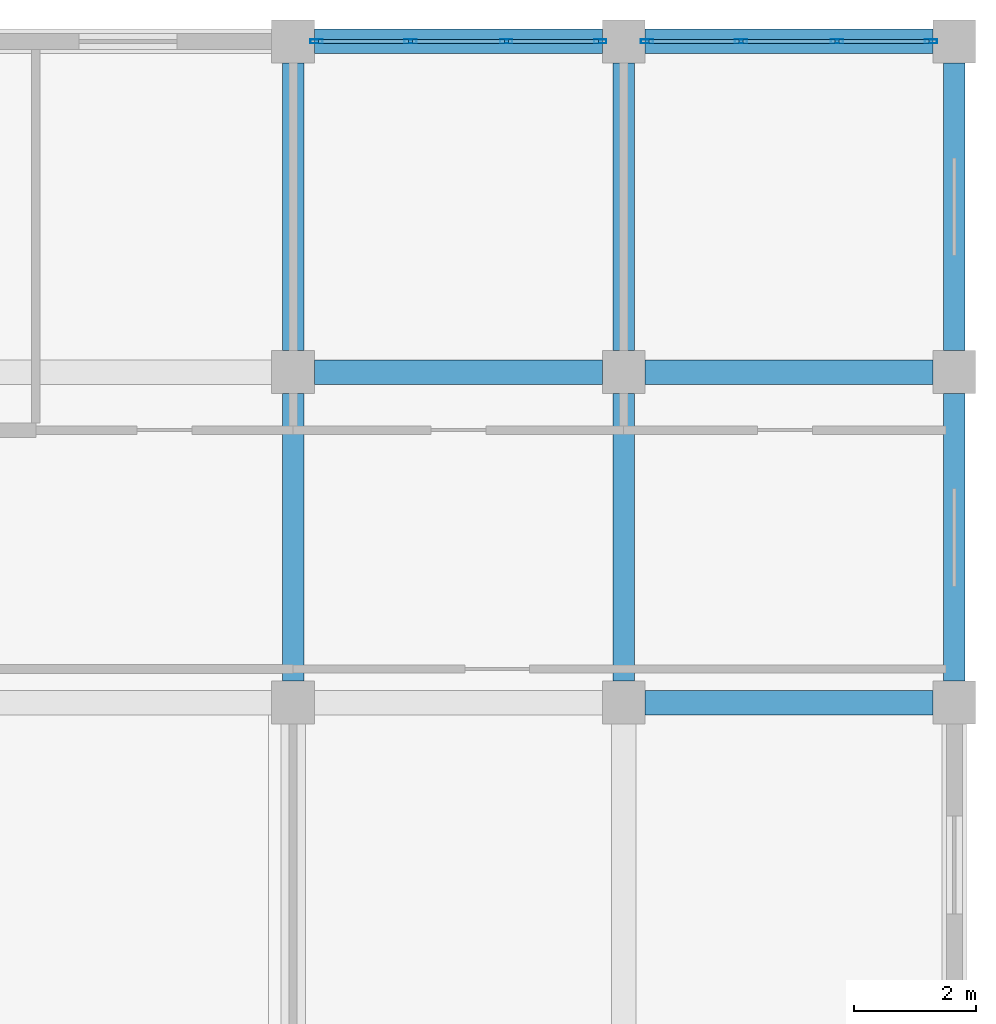
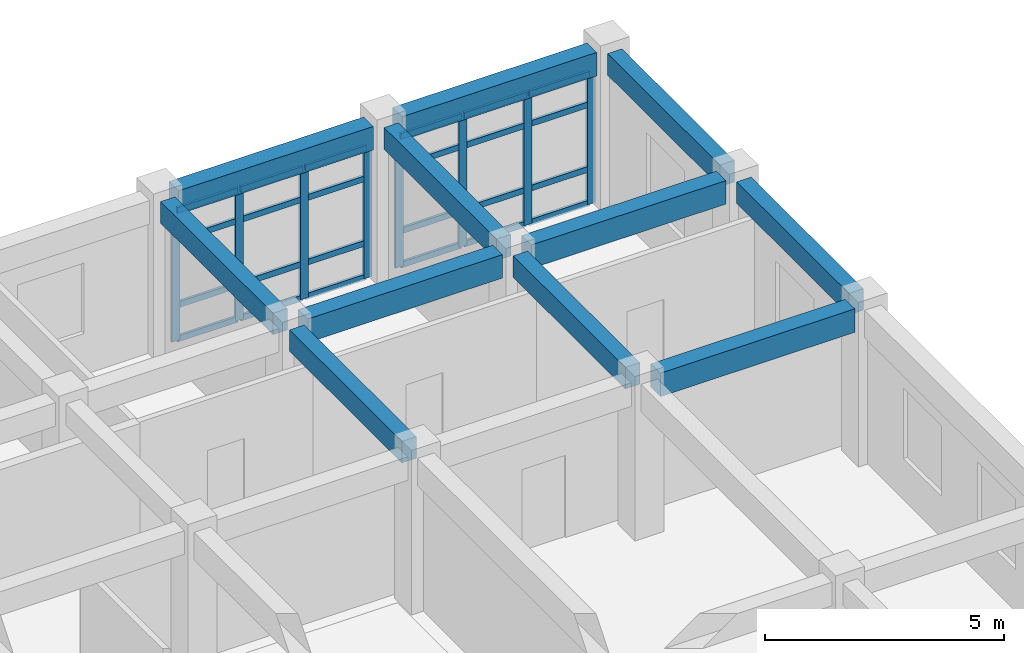
# One storey, part 15 of 23: 32 members, 11 beams, 2 elements without a shape of their own.
"""IFC4 building model written with IfcOpenShell, lengths in metres."""

import ifcopenshell
import ifcopenshell.guid

model = None  # the IFC model being written
_history = None  # IfcOwnerHistory: only IFC2X3 demands one
_inside = {}  # id of a spatial element -> (the spatial element, [elements in it])
_under = {}  # id of a project, library or spatial element -> (it, [spatial elements below it])
_declared = {}  # id of a project -> (the project, [libraries it declares])
_typed = {}  # id of a type object -> (the type object, [elements of that type])
_made_of = {}  # id of a material, layer set ... -> (it, [elements and type objects made of it])


def new_model(schema):
    """Start an empty IFC model of exactly this schema.

    Asked for "IFC4X3", IfcOpenShell would pick the latest addendum, in which some entities
    have other attributes; the version numbers below select the first issue.
    IFC2X3 requires an IfcOwnerHistory on every rooted entity: one is made here for all.
    """
    global model, _history
    if schema == "IFC4X3":
        model = ifcopenshell.file(schema_version=(4, 3, 0, 0))
    else:
        model = ifcopenshell.file(schema=schema)
    _inside.clear()
    _under.clear()
    _declared.clear()
    _typed.clear()
    _made_of.clear()
    _history = None
    if model.schema == "IFC2X3":
        org = make("IfcOrganization", Name="unknown")
        user = make(
            "IfcPersonAndOrganization",
            ThePerson=make("IfcPerson", FamilyName="unknown"),
            TheOrganization=org,
        )
        app = make(
            "IfcApplication",
            ApplicationDeveloper=org,
            Version="unknown",
            ApplicationFullName="unknown",
            ApplicationIdentifier="unknown",
        )
        _history = make(
            "IfcOwnerHistory",
            OwningUser=user,
            OwningApplication=app,
            ChangeAction="ADDED",
            CreationDate=0,
        )
    return model


def make(cls, **values):
    """One entity of the class cls with the attributes given. An attribute that is None is left unset."""
    return model.create_entity(
        cls, **{name: value for name, value in values.items() if value is not None}
    )


def rooted(cls, **values):
    """An entity with a GlobalId (a new one), such as an element, a storey or a relation."""
    return make(cls, GlobalId=ifcopenshell.guid.new(), OwnerHistory=_history, **values)


def si_unit(unit_type, name, prefix=None):
    """IfcSIUnit, for example si_unit("LENGTHUNIT", "METRE", prefix="MILLI")."""
    return make("IfcSIUnit", UnitType=unit_type, Prefix=prefix, Name=name)


def assignment(units):
    """IfcUnitAssignment: the units of a project."""
    return None if units is None else make("IfcUnitAssignment", Units=units)


def point(xyz):
    """IfcCartesianPoint."""
    return None if xyz is None else make("IfcCartesianPoint", Coordinates=xyz)


def direction(xyz):
    """IfcDirection."""
    return None if xyz is None else make("IfcDirection", DirectionRatios=xyz)


def frame(location, z_axis=None, x_axis=None):
    """IfcAxis2Placement3D, a coordinate frame: its origin and axes. An axis left out is left unset."""
    return make(
        "IfcAxis2Placement3D",
        Location=point(location),
        Axis=direction(z_axis),
        RefDirection=direction(x_axis),
    )


def frame_2d(location, x_axis=None):
    """IfcAxis2Placement2D, a coordinate frame in the plane: its origin and x axis."""
    return make(
        "IfcAxis2Placement2D", Location=point(location), RefDirection=direction(x_axis)
    )


def origin():
    """The frame at (0, 0, 0) with its axes left unset."""
    return frame((0.0, 0.0, 0.0))


def origin_2d():
    """The frame at (0, 0) in the plane with its x axis left unset."""
    return frame_2d((0.0, 0.0))


def place(relative_to, where):
    """IfcLocalPlacement: puts the frame where relative to a parent placement (None: the world)."""
    return make(
        "IfcLocalPlacement", PlacementRelTo=relative_to, RelativePlacement=where
    )


def context(
    kind, dimensions, precision=None, world=None, true_north=None, identifier=None
):
    """IfcGeometricRepresentationContext, for example the 3D "Model" context."""
    return make(
        "IfcGeometricRepresentationContext",
        ContextIdentifier=identifier,
        ContextType=kind,
        CoordinateSpaceDimension=dimensions,
        Precision=precision,
        WorldCoordinateSystem=world,
        TrueNorth=true_north,
    )


def subcontext(parent, identifier, kind, view, scale=None):
    """IfcGeometricRepresentationSubContext, for example "Body" below "Model"."""
    return make(
        "IfcGeometricRepresentationSubContext",
        ContextIdentifier=identifier,
        ContextType=kind,
        ParentContext=parent,
        TargetScale=scale,
        TargetView=view,
    )


def project(units=None, contexts=None):
    """IfcProject with its units and contexts."""
    return rooted(
        "IfcProject",
        Name="project",
        RepresentationContexts=contexts,
        UnitsInContext=assignment(units),
    )


def spatial(cls, under=None, at=None, **own):
    """A site, building, storey or space (cls), placed at a placement, below another one or the project."""
    s = rooted(cls, ObjectPlacement=at, **own)
    if under is not None:
        _under.setdefault(under.id(), (under, []))[1].append(s)
    return s


def profile(cls, at=None, kind="AREA", **sizes):
    """A parametric profile (cls). Its sizes go by their IFC names, for example OverallWidth=200.0."""
    return make(cls, ProfileType=kind, Position=at, **sizes)


def rectangle(**sizes):
    """IfcRectangleProfileDef."""
    return profile("IfcRectangleProfileDef", **sizes)


def hollow_rectangle(**sizes):
    """IfcRectangleHollowProfileDef."""
    return profile("IfcRectangleHollowProfileDef", **sizes)


def extrude(swept, where, along, depth):
    """IfcExtrudedAreaSolid: the profile swept, set in the frame where, extruded along a direction by depth."""
    return make(
        "IfcExtrudedAreaSolid",
        SweptArea=swept,
        Position=where,
        ExtrudedDirection=direction(along),
        Depth=depth,
    )


def shape(context_of_items, identifier, shape_type, items):
    """IfcShapeRepresentation: the items that make up one representation, for example the "Body"."""
    return make(
        "IfcShapeRepresentation",
        ContextOfItems=context_of_items,
        RepresentationIdentifier=identifier,
        RepresentationType=shape_type,
        Items=items,
    )


def material(Name=None, Category=None):
    """IfcMaterial."""
    return make("IfcMaterial", Name=Name, Category=Category)


def layer(
    of_material, thickness, ventilated=None, Name=None, Category=None, Priority=None
):
    """IfcMaterialLayer: one layer of a wall or slab, of a material (None: an air gap)."""
    return make(
        "IfcMaterialLayer",
        Material=of_material,
        LayerThickness=thickness,
        IsVentilated=ventilated,
        Name=Name,
        Category=Category,
        Priority=Priority,
    )


def layer_set(layers, Name=None):
    """IfcMaterialLayerSet."""
    return make("IfcMaterialLayerSet", MaterialLayers=layers, LayerSetName=Name)


def material_profile(
    of_material, cross_section, Name=None, Category=None, Priority=None
):
    """IfcMaterialProfile: a cross section and its material."""
    return make(
        "IfcMaterialProfile",
        Name=Name,
        Material=of_material,
        Profile=cross_section,
        Priority=Priority,
        Category=Category,
    )


def profile_set(profiles, Name=None, composite=None):
    """IfcMaterialProfileSet."""
    return make(
        "IfcMaterialProfileSet",
        Name=Name,
        MaterialProfiles=profiles,
        CompositeProfile=composite,
    )


def made_of(thing, what):
    """Note that an element or type object is made of a material, layer set ...; save() writes the relation."""
    if what is not None:
        _made_of.setdefault(what.id(), (what, []))[1].append(thing)
    return thing


def type_object(cls, material=None, **own):
    """A type object (cls), such as IfcWallType, which elements share."""
    return made_of(rooted(cls, **own), material)


def element(
    cls,
    number,
    at=None,
    inside=None,
    cuts=None,
    type_object=None,
    material=None,
    context=None,
    identifier="Body",
    shape_type=None,
    held_by="IfcProductDefinitionShape",
    body=None,
    shapes=None,
    **own,
):
    """One element of the class cls, such as IfcWall. Its Tag is "e" and its number.

    at: its placement. inside: the storey or other place that contains it. cuts: it is an
    opening in that element (IfcRelVoidsElement). A single representation is given by context,
    identifier, shape_type and body (its items); several are given by shapes. held_by: the class
    of the entity that holds the representations. save() writes the other relations.
    """
    e = rooted(cls, Tag="e%d" % number, ObjectPlacement=at, **own)
    if body is not None:
        shapes = [shape(context, identifier, shape_type, body)]
    if shapes is not None:
        e.Representation = make(held_by, Representations=shapes)
    if inside is not None:
        _inside.setdefault(inside.id(), (inside, []))[1].append(e)
    if cuts is not None:
        rooted(
            "IfcRelVoidsElement", RelatingBuildingElement=cuts, RelatedOpeningElement=e
        )
    if type_object is not None:
        _typed.setdefault(type_object.id(), (type_object, []))[1].append(e)
    return made_of(e, material)


def aggregate(whole, parts):
    """IfcRelAggregates: a whole, such as a stair, and the parts it consists of."""
    return rooted("IfcRelAggregates", RelatingObject=whole, RelatedObjects=parts)


def save(model, path):
    """Write the relations noted so far, then the file.

    IfcRelAggregates (storeys below a building ...), IfcRelContainedInSpatialStructure (elements
    in a storey), IfcRelDefinesByType, IfcRelAssociatesMaterial and IfcRelDeclares: one each for
    every whole, place, type object, material and project.
    """
    for whole, parts in _under.values():
        aggregate(whole, parts)
    for where, things in _inside.values():
        rooted(
            "IfcRelContainedInSpatialStructure",
            RelatedElements=things,
            RelatingStructure=where,
        )
    for kind, things in _typed.values():
        rooted("IfcRelDefinesByType", RelatedObjects=things, RelatingType=kind)
    for what, things in _made_of.values():
        rooted("IfcRelAssociatesMaterial", RelatedObjects=things, RelatingMaterial=what)
    for by, libraries in _declared.values():
        rooted("IfcRelDeclares", RelatingContext=by, RelatedDefinitions=libraries)
    model.write(path)


model = new_model("IFC4")

# Units and contexts
model_context = context("Model", 3, precision=1e-05, world=origin(), true_north=direction((0.0, 1.0)))
body_context = subcontext(model_context, "Body", "Model", "MODEL_VIEW")
ifc_project = project(units=[si_unit("LENGTHUNIT", "METRE"), si_unit("AREAUNIT", "SQUARE_METRE"), si_unit("VOLUMEUNIT", "CUBIC_METRE"), si_unit("PLANEANGLEUNIT", "RADIAN"), si_unit("MASSUNIT", "GRAM", prefix="KILO")], contexts=[model_context])

# Site, building, storey
site_placement = place(None, origin())
site = spatial("IfcSite", under=ifc_project, at=site_placement, CompositionType="ELEMENT")
building_placement = place(site_placement, origin())
building = spatial("IfcBuilding", under=site, at=building_placement, Name="Krzemoval Escarpment Law Courts", CompositionType="ELEMENT")
storey_placement = place(building_placement, frame((0.0, 0.0, 25.199951171875)))
storey = spatial("IfcBuildingStorey", under=building, at=storey_placement, Name="L05", CompositionType="ELEMENT", Elevation=25.199951171875)

# Beams
ifc_material_1 = material(Name="Concrete C40/50", Category="concrete")
ifc_material_profile_1 = material_profile(ifc_material_1, rectangle(XDim=0.35009765625, YDim=0.550048828125, at=origin_2d()), Name="RCB 350x550")
ifc_profile_set_1 = profile_set([ifc_material_profile_1], Name="Concrete C40/50")
beam_type_1 = type_object("IfcBeamType", Name="BM-RC-350x550", PredefinedType="BEAM", material=ifc_profile_set_1)
for number, where, z_axis, x_axis, name in (
    (1, (162.0, 108.35009765625, 3.675048828125), (0.0, 1.0, 0.0), (-1.0, 0.0, 0.0), "Beam FG-L05-2622"),
    (2, (162.0, 113.75, 3.675048828125), (0.0, 1.0, 0.0), (-1.0, 0.0, 0.0), "Beam FG-L05-2623"),
    (3, (167.39990234375, 108.35009765625, 3.675048828125), (0.0, 1.0, 0.0), (-1.0, 0.0, 0.0), "Beam FG-L05-2626"),
    (4, (167.39990234375, 113.75, 3.675048828125), (0.0, 1.0, 0.0), (-1.0, 0.0, 0.0), "Beam FG-L05-2627"),
    (5, (172.800048828125, 108.35009765625, 3.675048828125), (0.0, 1.0, 0.0), (-1.0, 0.0, 0.0), "Beam FG-L05-2630"),
    (6, (172.800048828125, 113.75, 3.675048828125), (0.0, 1.0, 0.0), (-1.0, 0.0, 0.0), "Beam FG-L05-2631"),
):
    element("IfcBeam", number, at=place(storey_placement, frame(where, z_axis=z_axis, x_axis=x_axis)), inside=storey, type_object=beam_type_1, Name=name, PredefinedType="BEAM", context=body_context, shape_type="SweptSolid", body=[
        extrude(rectangle(XDim=0.35009765625, YDim=0.550048828125, at=origin_2d()), origin(), (0.0, 0.0, 1.0), 4.699951171875),
    ])
ifc_material_2 = material(Name="Concrete C40/50", Category="concrete")
ifc_material_profile_2 = material_profile(ifc_material_2, rectangle(XDim=0.39990234375, YDim=0.60009765625, at=origin_2d()), Name="RCB 400x600")
ifc_profile_set_2 = profile_set([ifc_material_profile_2], Name="Concrete C40/50")
beam_type_2 = type_object("IfcBeamType", Name="BM-RC-400x600", PredefinedType="BEAM", material=ifc_profile_set_2)
for number, where, z_axis, x_axis, name in (
    (7, (167.75, 108.0, 3.650146484375), (1.0, 0.0, 0.0), (0.0, 1.0, 0.0), "Beam FG-L05-2582"),
    (8, (162.35009765625, 113.39990234375, 3.650146484375), (1.0, 0.0, 0.0), (0.0, 1.0, 0.0), "Beam FG-L05-2588"),
    (9, (167.75, 113.39990234375, 3.650146484375), (1.0, 0.0, 0.0), (0.0, 1.0, 0.0), "Beam FG-L05-2589"),
    (10, (162.35009765625, 118.800048828125, 3.650146484375), (1.0, 0.0, 0.0), (0.0, 1.0, 0.0), "Beam FG-L05-2595"),
    (11, (167.75, 118.800048828125, 3.650146484375), (1.0, 0.0, 0.0), (0.0, 1.0, 0.0), "Beam FG-L05-2596"),
):
    element("IfcBeam", number, at=place(storey_placement, frame(where, z_axis=z_axis, x_axis=x_axis)), inside=storey, type_object=beam_type_2, Name=name, PredefinedType="BEAM", context=body_context, shape_type="SweptSolid", body=[
        extrude(rectangle(XDim=0.39990234375, YDim=0.60009765625, at=origin_2d()), origin(), (0.0, 0.0, 1.0), 4.699951171875),
    ])

# Curtain wall, members
ifc_material_3 = material(Name="Aluminium 6063-T6", Category="aluminium")
ifc_layer = layer(ifc_material_3, 0.219970703125)
ifc_layer_set = layer_set([ifc_layer], Name="Aluminium 6063-T6")
curtain_wall_type = type_object("IfcCurtainWallType", Name="CW-CHMB-4200", PredefinedType="USERDEFINED", material=ifc_layer_set)
curtain_wall_1_placement = place(storey_placement, origin())
curtain_wall_1 = element("IfcCurtainWall", 12, at=curtain_wall_1_placement, inside=storey, type_object=curtain_wall_type, Name="Unitised Curtain Wall FCW-L05-140", ObjectType="UNITISED_CURTAIN_WALL", PredefinedType="USERDEFINED")
ifc_material_4 = material(Name="Aluminium 6063-T6", Category="aluminium")
ifc_material_profile_3 = material_profile(ifc_material_4, hollow_rectangle(XDim=0.06494140625, YDim=0.199951171875, WallThickness=0.00439453125, at=origin_2d()), Name="ALU M65x200")
ifc_profile_set_3 = profile_set([ifc_material_profile_3], Name="Aluminium 6063-T6")
member_type_1 = type_object("IfcMemberType", Name="CWM-65x200", PredefinedType="MULLION", material=ifc_profile_set_3)
member_1_placement = place(storey_placement, frame((162.382568359375, 118.800048828125, 0.0), z_axis=(0.0, 0.0, 1.0), x_axis=(0.0, 1.0, 0.0)))
member_1 = element("IfcMember", 13, at=member_1_placement, type_object=member_type_1, Name="FCW-L05-140 mullion 1", PredefinedType="MULLION", context=body_context, shape_type="SweptSolid", body=[
    extrude(hollow_rectangle(XDim=0.06494140625, YDim=0.199951171875, WallThickness=0.00439453125, at=origin_2d()), origin(), (0.0, 0.0, 1.0), 3.35009765625),
])
member_2_placement = place(storey_placement, frame((163.916748046875, 118.800048828125, 0.0), z_axis=(0.0, 0.0, 1.0), x_axis=(0.0, 1.0, 0.0)))
member_2 = element("IfcMember", 14, at=member_2_placement, type_object=member_type_1, Name="FCW-L05-140 mullion 2", PredefinedType="MULLION", context=body_context, shape_type="SweptSolid", body=[
    extrude(hollow_rectangle(XDim=0.06494140625, YDim=0.199951171875, WallThickness=0.00439453125, at=origin_2d()), origin(), (0.0, 0.0, 1.0), 3.35009765625),
])
member_3_placement = place(storey_placement, frame((165.4833984375, 118.800048828125, 0.0), z_axis=(0.0, 0.0, 1.0), x_axis=(0.0, 1.0, 0.0)))
member_3 = element("IfcMember", 15, at=member_3_placement, type_object=member_type_1, Name="FCW-L05-140 mullion 3", PredefinedType="MULLION", context=body_context, shape_type="SweptSolid", body=[
    extrude(hollow_rectangle(XDim=0.06494140625, YDim=0.199951171875, WallThickness=0.00439453125, at=origin_2d()), origin(), (0.0, 0.0, 1.0), 3.35009765625),
])
member_4_placement = place(storey_placement, frame((167.017578125, 118.800048828125, 0.0), z_axis=(0.0, 0.0, 1.0), x_axis=(0.0, 1.0, 0.0)))
member_4 = element("IfcMember", 16, at=member_4_placement, type_object=member_type_1, Name="FCW-L05-140 mullion 4", PredefinedType="MULLION", context=body_context, shape_type="SweptSolid", body=[
    extrude(hollow_rectangle(XDim=0.06494140625, YDim=0.199951171875, WallThickness=0.00439453125, at=origin_2d()), origin(), (0.0, 0.0, 1.0), 3.35009765625),
])

curtain_wall_2_placement = place(storey_placement, origin())
curtain_wall_2 = element("IfcCurtainWall", 17, at=curtain_wall_2_placement, inside=storey, type_object=curtain_wall_type, Name="Unitised Curtain Wall FCW-L05-141", ObjectType="UNITISED_CURTAIN_WALL", PredefinedType="USERDEFINED")
member_5_placement = place(storey_placement, frame((167.782470703125, 118.800048828125, 0.0), z_axis=(0.0, 0.0, 1.0), x_axis=(0.0, 1.0, 0.0)))
member_5 = element("IfcMember", 18, at=member_5_placement, type_object=member_type_1, Name="FCW-L05-141 mullion 1", PredefinedType="MULLION", context=body_context, shape_type="SweptSolid", body=[
    extrude(hollow_rectangle(XDim=0.06494140625, YDim=0.199951171875, WallThickness=0.00439453125, at=origin_2d()), origin(), (0.0, 0.0, 1.0), 3.35009765625),
])
member_6_placement = place(storey_placement, frame((169.316650390625, 118.800048828125, 0.0), z_axis=(0.0, 0.0, 1.0), x_axis=(0.0, 1.0, 0.0)))
member_6 = element("IfcMember", 19, at=member_6_placement, type_object=member_type_1, Name="FCW-L05-141 mullion 2", PredefinedType="MULLION", context=body_context, shape_type="SweptSolid", body=[
    extrude(hollow_rectangle(XDim=0.06494140625, YDim=0.199951171875, WallThickness=0.00439453125, at=origin_2d()), origin(), (0.0, 0.0, 1.0), 3.35009765625),
])
member_7_placement = place(storey_placement, frame((170.88330078125, 118.800048828125, 0.0), z_axis=(0.0, 0.0, 1.0), x_axis=(0.0, 1.0, 0.0)))
member_7 = element("IfcMember", 20, at=member_7_placement, type_object=member_type_1, Name="FCW-L05-141 mullion 3", PredefinedType="MULLION", context=body_context, shape_type="SweptSolid", body=[
    extrude(hollow_rectangle(XDim=0.06494140625, YDim=0.199951171875, WallThickness=0.00439453125, at=origin_2d()), origin(), (0.0, 0.0, 1.0), 3.35009765625),
])
member_8_placement = place(storey_placement, frame((172.41748046875, 118.800048828125, 0.0), z_axis=(0.0, 0.0, 1.0), x_axis=(0.0, 1.0, 0.0)))
member_8 = element("IfcMember", 21, at=member_8_placement, type_object=member_type_1, Name="FCW-L05-141 mullion 4", PredefinedType="MULLION", context=body_context, shape_type="SweptSolid", body=[
    extrude(hollow_rectangle(XDim=0.06494140625, YDim=0.199951171875, WallThickness=0.00439453125, at=origin_2d()), origin(), (0.0, 0.0, 1.0), 3.35009765625),
])

# Member
ifc_material_5 = material(Name="Aluminium 6063-T6", Category="aluminium")
ifc_material_profile_4 = material_profile(ifc_material_5, hollow_rectangle(XDim=0.06494140625, YDim=0.14990234375, WallThickness=0.00439453125, at=origin_2d()), Name="ALU T65x150")
ifc_profile_set_4 = profile_set([ifc_material_profile_4], Name="Aluminium 6063-T6")
member_type_2 = type_object("IfcMemberType", Name="CWT-65x150", PredefinedType="USERDEFINED", material=ifc_profile_set_4)
member_9_placement = place(storey_placement, frame((162.4150390625, 118.800048828125, 0.032470703125), z_axis=(1.0, 0.0, 0.0), x_axis=(0.0, 1.0, 0.0)))
member_9 = element("IfcMember", 22, at=member_9_placement, type_object=member_type_2, Name="FCW-L05-140 transom 1.1", ObjectType="TRANSOM", PredefinedType="USERDEFINED", context=body_context, shape_type="SweptSolid", body=[
    extrude(hollow_rectangle(XDim=0.06494140625, YDim=0.14990234375, WallThickness=0.00439453125, at=origin_2d()), origin(), (0.0, 0.0, 1.0), 1.46923828125),
])

member_10_placement = place(storey_placement, frame((162.4150390625, 118.800048828125, 0.900146484375), z_axis=(1.0, 0.0, 0.0), x_axis=(0.0, 1.0, 0.0)))
member_10 = element("IfcMember", 23, at=member_10_placement, type_object=member_type_2, Name="FCW-L05-140 transom 1.2", ObjectType="TRANSOM", PredefinedType="USERDEFINED", context=body_context, shape_type="SweptSolid", body=[
    extrude(hollow_rectangle(XDim=0.06494140625, YDim=0.14990234375, WallThickness=0.00439453125, at=origin_2d()), origin(), (0.0, 0.0, 1.0), 1.46923828125),
])

member_11_placement = place(storey_placement, frame((162.4150390625, 118.800048828125, 2.550048828125), z_axis=(1.0, 0.0, 0.0), x_axis=(0.0, 1.0, 0.0)))
member_11 = element("IfcMember", 24, at=member_11_placement, type_object=member_type_2, Name="FCW-L05-140 transom 1.3", ObjectType="TRANSOM", PredefinedType="USERDEFINED", context=body_context, shape_type="SweptSolid", body=[
    extrude(hollow_rectangle(XDim=0.06494140625, YDim=0.14990234375, WallThickness=0.00439453125, at=origin_2d()), origin(), (0.0, 0.0, 1.0), 1.46923828125),
])

member_12_placement = place(storey_placement, frame((162.4150390625, 118.800048828125, 3.317626953125), z_axis=(1.0, 0.0, 0.0), x_axis=(0.0, 1.0, 0.0)))
member_12 = element("IfcMember", 25, at=member_12_placement, type_object=member_type_2, Name="FCW-L05-140 transom 1.4", ObjectType="TRANSOM", PredefinedType="USERDEFINED", context=body_context, shape_type="SweptSolid", body=[
    extrude(hollow_rectangle(XDim=0.06494140625, YDim=0.14990234375, WallThickness=0.00439453125, at=origin_2d()), origin(), (0.0, 0.0, 1.0), 1.46923828125),
])

member_13_placement = place(storey_placement, frame((163.94921875, 118.800048828125, 0.032470703125), z_axis=(1.0, 0.0, 0.0), x_axis=(0.0, 1.0, 0.0)))
member_13 = element("IfcMember", 26, at=member_13_placement, type_object=member_type_2, Name="FCW-L05-140 transom 2.1", ObjectType="TRANSOM", PredefinedType="USERDEFINED", context=body_context, shape_type="SweptSolid", body=[
    extrude(hollow_rectangle(XDim=0.06494140625, YDim=0.14990234375, WallThickness=0.00439453125, at=origin_2d()), origin(), (0.0, 0.0, 1.0), 1.501708984375),
])

member_14_placement = place(storey_placement, frame((163.94921875, 118.800048828125, 0.900146484375), z_axis=(1.0, 0.0, 0.0), x_axis=(0.0, 1.0, 0.0)))
member_14 = element("IfcMember", 27, at=member_14_placement, type_object=member_type_2, Name="FCW-L05-140 transom 2.2", ObjectType="TRANSOM", PredefinedType="USERDEFINED", context=body_context, shape_type="SweptSolid", body=[
    extrude(hollow_rectangle(XDim=0.06494140625, YDim=0.14990234375, WallThickness=0.00439453125, at=origin_2d()), origin(), (0.0, 0.0, 1.0), 1.501708984375),
])

member_15_placement = place(storey_placement, frame((163.94921875, 118.800048828125, 2.550048828125), z_axis=(1.0, 0.0, 0.0), x_axis=(0.0, 1.0, 0.0)))
member_15 = element("IfcMember", 28, at=member_15_placement, type_object=member_type_2, Name="FCW-L05-140 transom 2.3", ObjectType="TRANSOM", PredefinedType="USERDEFINED", context=body_context, shape_type="SweptSolid", body=[
    extrude(hollow_rectangle(XDim=0.06494140625, YDim=0.14990234375, WallThickness=0.00439453125, at=origin_2d()), origin(), (0.0, 0.0, 1.0), 1.501708984375),
])

member_16_placement = place(storey_placement, frame((163.94921875, 118.800048828125, 3.317626953125), z_axis=(1.0, 0.0, 0.0), x_axis=(0.0, 1.0, 0.0)))
member_16 = element("IfcMember", 29, at=member_16_placement, type_object=member_type_2, Name="FCW-L05-140 transom 2.4", ObjectType="TRANSOM", PredefinedType="USERDEFINED", context=body_context, shape_type="SweptSolid", body=[
    extrude(hollow_rectangle(XDim=0.06494140625, YDim=0.14990234375, WallThickness=0.00439453125, at=origin_2d()), origin(), (0.0, 0.0, 1.0), 1.501708984375),
])

member_17_placement = place(storey_placement, frame((165.515869140625, 118.800048828125, 0.032470703125), z_axis=(1.0, 0.0, 0.0), x_axis=(0.0, 1.0, 0.0)))
member_17 = element("IfcMember", 30, at=member_17_placement, type_object=member_type_2, Name="FCW-L05-140 transom 3.1", ObjectType="TRANSOM", PredefinedType="USERDEFINED", context=body_context, shape_type="SweptSolid", body=[
    extrude(hollow_rectangle(XDim=0.06494140625, YDim=0.14990234375, WallThickness=0.00439453125, at=origin_2d()), origin(), (0.0, 0.0, 1.0), 1.46923828125),
])

member_18_placement = place(storey_placement, frame((165.515869140625, 118.800048828125, 0.900146484375), z_axis=(1.0, 0.0, 0.0), x_axis=(0.0, 1.0, 0.0)))
member_18 = element("IfcMember", 31, at=member_18_placement, type_object=member_type_2, Name="FCW-L05-140 transom 3.2", ObjectType="TRANSOM", PredefinedType="USERDEFINED", context=body_context, shape_type="SweptSolid", body=[
    extrude(hollow_rectangle(XDim=0.06494140625, YDim=0.14990234375, WallThickness=0.00439453125, at=origin_2d()), origin(), (0.0, 0.0, 1.0), 1.46923828125),
])

member_19_placement = place(storey_placement, frame((165.515869140625, 118.800048828125, 2.550048828125), z_axis=(1.0, 0.0, 0.0), x_axis=(0.0, 1.0, 0.0)))
member_19 = element("IfcMember", 32, at=member_19_placement, type_object=member_type_2, Name="FCW-L05-140 transom 3.3", ObjectType="TRANSOM", PredefinedType="USERDEFINED", context=body_context, shape_type="SweptSolid", body=[
    extrude(hollow_rectangle(XDim=0.06494140625, YDim=0.14990234375, WallThickness=0.00439453125, at=origin_2d()), origin(), (0.0, 0.0, 1.0), 1.46923828125),
])

member_20_placement = place(storey_placement, frame((165.515869140625, 118.800048828125, 3.317626953125), z_axis=(1.0, 0.0, 0.0), x_axis=(0.0, 1.0, 0.0)))
member_20 = element("IfcMember", 33, at=member_20_placement, type_object=member_type_2, Name="FCW-L05-140 transom 3.4", ObjectType="TRANSOM", PredefinedType="USERDEFINED", context=body_context, shape_type="SweptSolid", body=[
    extrude(hollow_rectangle(XDim=0.06494140625, YDim=0.14990234375, WallThickness=0.00439453125, at=origin_2d()), origin(), (0.0, 0.0, 1.0), 1.46923828125),
])

aggregate(curtain_wall_1, [member_1, member_2, member_3, member_4, member_9, member_10, member_11, member_12, member_13, member_14, member_15, member_16, member_17, member_18, member_19, member_20])

member_21_placement = place(storey_placement, frame((167.81494140625, 118.800048828125, 0.032470703125), z_axis=(1.0, 0.0, 0.0), x_axis=(0.0, 1.0, 0.0)))
member_21 = element("IfcMember", 34, at=member_21_placement, type_object=member_type_2, Name="FCW-L05-141 transom 1.1", ObjectType="TRANSOM", PredefinedType="USERDEFINED", context=body_context, shape_type="SweptSolid", body=[
    extrude(hollow_rectangle(XDim=0.06494140625, YDim=0.14990234375, WallThickness=0.00439453125, at=origin_2d()), origin(), (0.0, 0.0, 1.0), 1.46923828125),
])

member_22_placement = place(storey_placement, frame((167.81494140625, 118.800048828125, 0.900146484375), z_axis=(1.0, 0.0, 0.0), x_axis=(0.0, 1.0, 0.0)))
member_22 = element("IfcMember", 35, at=member_22_placement, type_object=member_type_2, Name="FCW-L05-141 transom 1.2", ObjectType="TRANSOM", PredefinedType="USERDEFINED", context=body_context, shape_type="SweptSolid", body=[
    extrude(hollow_rectangle(XDim=0.06494140625, YDim=0.14990234375, WallThickness=0.00439453125, at=origin_2d()), origin(), (0.0, 0.0, 1.0), 1.46923828125),
])

member_23_placement = place(storey_placement, frame((167.81494140625, 118.800048828125, 2.550048828125), z_axis=(1.0, 0.0, 0.0), x_axis=(0.0, 1.0, 0.0)))
member_23 = element("IfcMember", 36, at=member_23_placement, type_object=member_type_2, Name="FCW-L05-141 transom 1.3", ObjectType="TRANSOM", PredefinedType="USERDEFINED", context=body_context, shape_type="SweptSolid", body=[
    extrude(hollow_rectangle(XDim=0.06494140625, YDim=0.14990234375, WallThickness=0.00439453125, at=origin_2d()), origin(), (0.0, 0.0, 1.0), 1.46923828125),
])

member_24_placement = place(storey_placement, frame((167.81494140625, 118.800048828125, 3.317626953125), z_axis=(1.0, 0.0, 0.0), x_axis=(0.0, 1.0, 0.0)))
member_24 = element("IfcMember", 37, at=member_24_placement, type_object=member_type_2, Name="FCW-L05-141 transom 1.4", ObjectType="TRANSOM", PredefinedType="USERDEFINED", context=body_context, shape_type="SweptSolid", body=[
    extrude(hollow_rectangle(XDim=0.06494140625, YDim=0.14990234375, WallThickness=0.00439453125, at=origin_2d()), origin(), (0.0, 0.0, 1.0), 1.46923828125),
])

member_25_placement = place(storey_placement, frame((169.34912109375, 118.800048828125, 0.032470703125), z_axis=(1.0, 0.0, 0.0), x_axis=(0.0, 1.0, 0.0)))
member_25 = element("IfcMember", 38, at=member_25_placement, type_object=member_type_2, Name="FCW-L05-141 transom 2.1", ObjectType="TRANSOM", PredefinedType="USERDEFINED", context=body_context, shape_type="SweptSolid", body=[
    extrude(hollow_rectangle(XDim=0.06494140625, YDim=0.14990234375, WallThickness=0.00439453125, at=origin_2d()), origin(), (0.0, 0.0, 1.0), 1.501708984375),
])

member_26_placement = place(storey_placement, frame((169.34912109375, 118.800048828125, 0.900146484375), z_axis=(1.0, 0.0, 0.0), x_axis=(0.0, 1.0, 0.0)))
member_26 = element("IfcMember", 39, at=member_26_placement, type_object=member_type_2, Name="FCW-L05-141 transom 2.2", ObjectType="TRANSOM", PredefinedType="USERDEFINED", context=body_context, shape_type="SweptSolid", body=[
    extrude(hollow_rectangle(XDim=0.06494140625, YDim=0.14990234375, WallThickness=0.00439453125, at=origin_2d()), origin(), (0.0, 0.0, 1.0), 1.501708984375),
])

member_27_placement = place(storey_placement, frame((169.34912109375, 118.800048828125, 2.550048828125), z_axis=(1.0, 0.0, 0.0), x_axis=(0.0, 1.0, 0.0)))
member_27 = element("IfcMember", 40, at=member_27_placement, type_object=member_type_2, Name="FCW-L05-141 transom 2.3", ObjectType="TRANSOM", PredefinedType="USERDEFINED", context=body_context, shape_type="SweptSolid", body=[
    extrude(hollow_rectangle(XDim=0.06494140625, YDim=0.14990234375, WallThickness=0.00439453125, at=origin_2d()), origin(), (0.0, 0.0, 1.0), 1.501708984375),
])

member_28_placement = place(storey_placement, frame((169.34912109375, 118.800048828125, 3.317626953125), z_axis=(1.0, 0.0, 0.0), x_axis=(0.0, 1.0, 0.0)))
member_28 = element("IfcMember", 41, at=member_28_placement, type_object=member_type_2, Name="FCW-L05-141 transom 2.4", ObjectType="TRANSOM", PredefinedType="USERDEFINED", context=body_context, shape_type="SweptSolid", body=[
    extrude(hollow_rectangle(XDim=0.06494140625, YDim=0.14990234375, WallThickness=0.00439453125, at=origin_2d()), origin(), (0.0, 0.0, 1.0), 1.501708984375),
])

member_29_placement = place(storey_placement, frame((170.915771484375, 118.800048828125, 0.032470703125), z_axis=(1.0, 0.0, 0.0), x_axis=(0.0, 1.0, 0.0)))
member_29 = element("IfcMember", 42, at=member_29_placement, type_object=member_type_2, Name="FCW-L05-141 transom 3.1", ObjectType="TRANSOM", PredefinedType="USERDEFINED", context=body_context, shape_type="SweptSolid", body=[
    extrude(hollow_rectangle(XDim=0.06494140625, YDim=0.14990234375, WallThickness=0.00439453125, at=origin_2d()), origin(), (0.0, 0.0, 1.0), 1.46923828125),
])

member_30_placement = place(storey_placement, frame((170.915771484375, 118.800048828125, 0.900146484375), z_axis=(1.0, 0.0, 0.0), x_axis=(0.0, 1.0, 0.0)))
member_30 = element("IfcMember", 43, at=member_30_placement, type_object=member_type_2, Name="FCW-L05-141 transom 3.2", ObjectType="TRANSOM", PredefinedType="USERDEFINED", context=body_context, shape_type="SweptSolid", body=[
    extrude(hollow_rectangle(XDim=0.06494140625, YDim=0.14990234375, WallThickness=0.00439453125, at=origin_2d()), origin(), (0.0, 0.0, 1.0), 1.46923828125),
])

member_31_placement = place(storey_placement, frame((170.915771484375, 118.800048828125, 2.550048828125), z_axis=(1.0, 0.0, 0.0), x_axis=(0.0, 1.0, 0.0)))
member_31 = element("IfcMember", 44, at=member_31_placement, type_object=member_type_2, Name="FCW-L05-141 transom 3.3", ObjectType="TRANSOM", PredefinedType="USERDEFINED", context=body_context, shape_type="SweptSolid", body=[
    extrude(hollow_rectangle(XDim=0.06494140625, YDim=0.14990234375, WallThickness=0.00439453125, at=origin_2d()), origin(), (0.0, 0.0, 1.0), 1.46923828125),
])

member_32_placement = place(storey_placement, frame((170.915771484375, 118.800048828125, 3.317626953125), z_axis=(1.0, 0.0, 0.0), x_axis=(0.0, 1.0, 0.0)))
member_32 = element("IfcMember", 45, at=member_32_placement, type_object=member_type_2, Name="FCW-L05-141 transom 3.4", ObjectType="TRANSOM", PredefinedType="USERDEFINED", context=body_context, shape_type="SweptSolid", body=[
    extrude(hollow_rectangle(XDim=0.06494140625, YDim=0.14990234375, WallThickness=0.00439453125, at=origin_2d()), origin(), (0.0, 0.0, 1.0), 1.46923828125),
])

aggregate(curtain_wall_2, [member_5, member_6, member_7, member_8, member_21, member_22, member_23, member_24, member_25, member_26, member_27, member_28, member_29, member_30, member_31, member_32])

save(model, "model.ifc")
